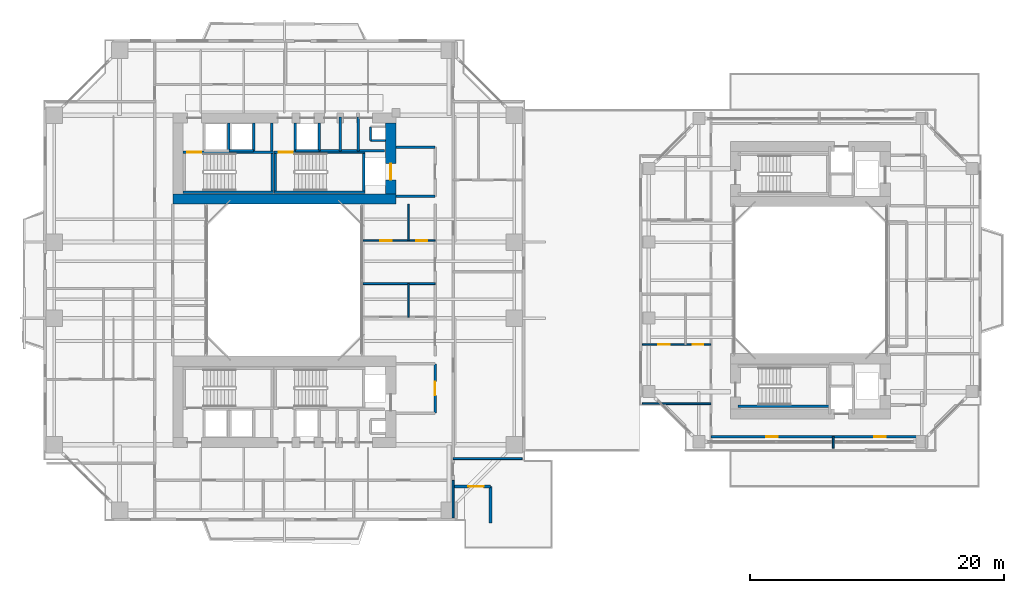
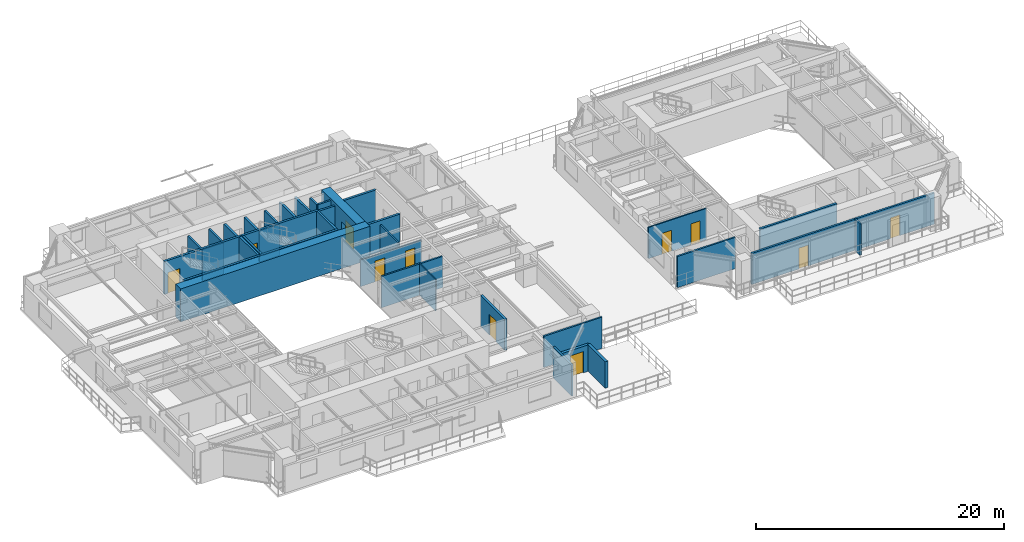
# One storey, part 12 of 22: 37 walls, 11 doors, 11 openings.
"""IFC4 building model written with IfcOpenShell, lengths in metres."""

from ifc_helpers import new_model, si_unit, direction, frame, frame_2d, origin, place, context, subcontext, project, spatial, rectangle, extrude, source, transform, mapped, material, layer, layer_set, type_object, element, fill, save


model = new_model("IFC4")

# Units and contexts
model_context = context("Model", 3, precision=1e-05, world=origin(), true_north=direction((0.0, 1.0)))
body_context = subcontext(model_context, "Body", "Model", "MODEL_VIEW")
ifc_project = project(units=[si_unit("LENGTHUNIT", "METRE"), si_unit("AREAUNIT", "SQUARE_METRE"), si_unit("VOLUMEUNIT", "CUBIC_METRE"), si_unit("PLANEANGLEUNIT", "RADIAN"), si_unit("MASSUNIT", "GRAM", prefix="KILO"), si_unit("THERMODYNAMICTEMPERATUREUNIT", "KELVIN"), si_unit("POWERUNIT", "WATT")], contexts=[model_context])

# Site, building, storey
site_placement = place(None, origin())
site = spatial("IfcSite", under=ifc_project, at=site_placement, CompositionType="ELEMENT")
building_placement = place(site_placement, origin())
building = spatial("IfcBuilding", under=site, at=building_placement, Name="Qiaomeng Ring Towers", CompositionType="ELEMENT")
storey_placement = place(building_placement, frame((0.0, 0.0, 23.0)))
storey = spatial("IfcBuildingStorey", under=building, at=storey_placement, Name="L05", CompositionType="ELEMENT", Elevation=23.0)

# Wall, opening, door
ifc_material_1 = material(Name="Precast concrete C40", Category="concrete")
ifc_layer_1 = layer(ifc_material_1, 0.25, Name="Precast concrete C40")
ifc_layer_set_1 = layer_set([ifc_layer_1], Name="Precast concrete C40")
wall_type_1 = type_object("IfcWallType", Name="ARC-WL-EW1", PredefinedType="STANDARD", material=ifc_layer_set_1)
wall_1_placement = place(storey_placement, frame((32.375, 6.72509765625, 0.0), z_axis=(0.0, 0.0, 1.0), x_axis=(1.0, 0.0, 0.0)))
wall_1 = element("IfcWall", 1, at=wall_1_placement, inside=storey, type_object=wall_type_1, Name="L05 Spiral Terrace Wall SE", PredefinedType="STANDARD", context=body_context, shape_type="SweptSolid", body=[
    extrude(rectangle(XDim=2.89990234375, YDim=0.25, at=frame_2d((1.449951171875, 0.0))), origin(), (0.0, 0.0, 1.0), 2.610107421875),
])
opening_1_placement = place(wall_1_placement, frame((1.14990234375, 0.0, 0.0)))
opening_1 = element("IfcOpeningElement", 2, at=opening_1_placement, cuts=wall_1, Name="Opening BD1", PredefinedType="OPENING", context=body_context, shape_type="SweptSolid", body=[
    extrude(rectangle(XDim=1.199951171875, YDim=2.10009765625, at=frame_2d((0.60009765625, 1.050048828125))), frame((0.0, 0.135009765625, 0.0), z_axis=(0.0, -1.0, 0.0), x_axis=(1.0, 0.0, 0.0)), (0.0, 0.0, 1.0), 0.27001953125),
])
ifc_material_2 = material(Name="Low-E dark-grey laminated double glazing", Category="glass")
door_type_1 = type_object("IfcDoorType", Name="ARC-DR-BD1", OperationType="NOTDEFINED", PredefinedType="DOOR", material=ifc_material_2)
shared_shape_1 = source(origin(), body_context, "Body", "SweptSolid", [
    extrude(rectangle(XDim=1.199951171875, YDim=2.10009765625, at=frame_2d((0.60009765625, 1.050048828125))), frame((0.0, 0.02490234375, 0.0), z_axis=(0.0, -1.0, 0.0), x_axis=(1.0, 0.0, 0.0)), (0.0, 0.0, 1.0), 0.050048828125),
])
door_1_placement = place(opening_1_placement, origin())
door_1 = element("IfcDoor", 3, at=door_1_placement, inside=storey, type_object=door_type_1, Name="L05 Spiral Sky Terrace Door SE", OperationType="SINGLE_SWING_LEFT", OverallHeight=2.10009765625, OverallWidth=1.199951171875, PredefinedType="DOOR", context=body_context, shape_type="MappedRepresentation", body=[
    mapped(shared_shape_1, transform((0.0, 0.0, 0.0), x_axis=(1.0, 0.0, 0.0), y_axis=(0.0, 1.0, 0.0), z_axis=(0.0, 0.0, 1.0), scale=1.0)),
])
fill(opening_1, door_1)

# Walls
wall_2_placement = place(storey_placement, frame((35.27490234375, 3.85009765625, 0.0), z_axis=(0.0, 0.0, 1.0), x_axis=(0.0, 1.0, 0.0)))
element("IfcWall", 4, at=wall_2_placement, inside=storey, type_object=wall_type_1, Name="L05 Spiral Terrace Return Wall SE", PredefinedType="STANDARD", context=body_context, shape_type="SweptSolid", body=[
    extrude(rectangle(XDim=2.875, YDim=0.25, at=frame_2d((1.4375, 0.0))), origin(), (0.0, 0.0, 1.0), 2.610107421875),
])
ifc_material_3 = material(Name="Autoclaved aerated concrete block", Category="concrete")
ifc_layer_2 = layer(ifc_material_3, 0.199951171875, Name="Autoclaved aerated concrete block")
ifc_layer_set_2 = layer_set([ifc_layer_2], Name="Autoclaved aerated concrete block")
wall_type_2 = type_object("IfcWallType", Name="ARC-WL-PW1", PredefinedType="PARTITIONING", material=ifc_layer_set_2)
for number, where, z_axis, x_axis, name in (
    (5, (27.800048828125, 29.60009765625, 0.0), (0.0, 0.0, 1.0), (1.0, 0.0, 0.0), "L05 Interior Wall PW1"),
    (6, (27.800048828125, 33.5, 0.0), (0.0, 0.0, 1.0), (1.0, 0.0, 0.0), "L05 Interior Wall PW1"),
):
    element("IfcWall", number, at=place(storey_placement, frame(where, z_axis=z_axis, x_axis=x_axis)), inside=storey, type_object=wall_type_2, Name=name, PredefinedType="PARTITIONING", context=body_context, shape_type="SweptSolid", body=[
        extrude(rectangle(XDim=3.099853515625, YDim=0.199951171875, at=frame_2d((1.5498046875, 0.0))), origin(), (0.0, 0.0, 1.0), 3.070068359375),
    ])

# Wall, opening, door
wall_3_placement = place(storey_placement, frame((30.89990234375, 12.5, 0.0), z_axis=(0.0, 0.0, 1.0), x_axis=(0.0, 1.0, 0.0)))
wall_3 = element("IfcWall", 7, at=wall_3_placement, inside=storey, type_object=wall_type_2, Name="L05 Interior Wall PW1", PredefinedType="PARTITIONING", context=body_context, shape_type="SweptSolid", body=[
    extrude(rectangle(XDim=3.89990234375, YDim=0.199951171875, at=frame_2d((1.949951171875, 0.0))), origin(), (0.0, 0.0, 1.0), 3.070068359375),
])
opening_2_placement = place(wall_3_placement, frame((1.39990234375, 0.0, 0.0)))
opening_2 = element("IfcOpeningElement", 8, at=opening_2_placement, cuts=wall_3, Name="Opening FD3", PredefinedType="OPENING", context=body_context, shape_type="SweptSolid", body=[
    extrude(rectangle(XDim=1.10009765625, YDim=2.050048828125, at=frame_2d((0.550048828125, 1.02490234375))), frame((0.0, 0.10986328125, 0.0), z_axis=(0.0, -1.0, 0.0), x_axis=(1.0, 0.0, 0.0)), (0.0, 0.0, 1.0), 0.219970703125),
])
ifc_material_4 = material(Name="Galvanised steel", Category="steel")
door_type_2 = type_object("IfcDoorType", Name="ARC-DR-FD3", OperationType="NOTDEFINED", PredefinedType="DOOR", material=ifc_material_4)
shared_shape_2 = source(origin(), body_context, "Body", "SweptSolid", [
    extrude(rectangle(XDim=1.10009765625, YDim=2.050048828125, at=frame_2d((0.550048828125, 1.02490234375))), frame((0.0, 0.02490234375, 0.0), z_axis=(0.0, -1.0, 0.0), x_axis=(1.0, 0.0, 0.0)), (0.0, 0.0, 1.0), 0.050048828125),
])
door_2_placement = place(opening_2_placement, origin())
door_2 = element("IfcDoor", 9, at=door_2_placement, inside=storey, type_object=door_type_2, Name="L05 South FF Lobby Door", OperationType="SINGLE_SWING_LEFT", OverallHeight=2.050048828125, OverallWidth=1.10009765625, PredefinedType="DOOR", context=body_context, shape_type="MappedRepresentation", body=[
    mapped(shared_shape_2, transform((0.0, 0.0, 0.0), x_axis=(1.0, 0.0, 0.0), y_axis=(0.0, 1.0, 0.0), z_axis=(0.0, 0.0, 1.0), scale=1.0)),
])
fill(opening_2, door_2)

# Walls
for number, where, z_axis, x_axis, name in (
    (10, (18.0, 33.18994140625, 0.0), (0.0, 0.0, 1.0), (0.0, 1.0, 0.0), "L05 Interior Wall PW1"),
    (11, (19.8798828125, 33.18994140625, 0.0), (0.0, 0.0, 1.0), (0.0, 1.0, 0.0), "L05 Interior Wall PW1"),
):
    element("IfcWall", number, at=place(storey_placement, frame(where, z_axis=z_axis, x_axis=x_axis)), inside=storey, type_object=wall_type_2, Name=name, PredefinedType="PARTITIONING", context=body_context, shape_type="SweptSolid", body=[
        extrude(rectangle(XDim=2.2099609375, YDim=0.199951171875, at=frame_2d((1.10498046875, 0.0))), origin(), (0.0, 0.0, 1.0), 3.070068359375),
    ])
wall_4_placement = place(storey_placement, frame((24.820068359375, 33.199951171875, 0.0), z_axis=(0.0, 0.0, 1.0), x_axis=(0.0, 1.0, 0.0)))
element("IfcWall", 12, at=wall_4_placement, inside=storey, type_object=wall_type_2, Name="L05 Interior Wall PW1", PredefinedType="PARTITIONING", context=body_context, shape_type="SweptSolid", body=[
    extrude(rectangle(XDim=2.650146484375, YDim=0.199951171875, at=frame_2d((1.3251953125, 0.0))), origin(), (0.0, 0.0, 1.0), 3.070068359375),
])
wall_5_placement = place(storey_placement, frame((21.75, 33.199951171875, 0.0), z_axis=(0.0, 0.0, 1.0), x_axis=(0.0, 1.0, 0.0)))
element("IfcWall", 13, at=wall_5_placement, inside=storey, type_object=wall_type_2, Name="L05 Interior Wall PW1", PredefinedType="PARTITIONING", context=body_context, shape_type="SweptSolid", body=[
    extrude(rectangle(XDim=2.199951171875, YDim=0.199951171875, at=frame_2d((1.10009765625, 0.0))), origin(), (0.0, 0.0, 1.0), 3.070068359375),
])
wall_6_placement = place(storey_placement, frame((23.39990234375, 33.199951171875, 0.0), z_axis=(0.0, 0.0, 1.0), x_axis=(0.0, 1.0, 0.0)))
element("IfcWall", 14, at=wall_6_placement, inside=storey, type_object=wall_type_2, Name="L05 Interior Wall PW1", PredefinedType="PARTITIONING", context=body_context, shape_type="SweptSolid", body=[
    extrude(rectangle(XDim=2.650146484375, YDim=0.199951171875, at=frame_2d((1.3251953125, 0.0))), origin(), (0.0, 0.0, 1.0), 3.070068359375),
])
wall_7_placement = place(storey_placement, frame((21.75, 33.199951171875, 0.0), z_axis=(0.0, 0.0, 1.0), x_axis=(1.0, 0.0, 0.0)))
element("IfcWall", 15, at=wall_7_placement, inside=storey, type_object=wall_type_2, Name="L05 Interior Wall PW1", PredefinedType="PARTITIONING", context=body_context, shape_type="SweptSolid", body=[
    extrude(rectangle(XDim=5.169921875, YDim=0.199951171875, at=frame_2d((2.5849609375, 0.0))), origin(), (0.0, 0.0, 1.0), 3.070068359375),
])

# Wall, openings, doors
ifc_layer_3 = layer(ifc_material_3, 0.179931640625, Name="Autoclaved aerated concrete block")
ifc_layer_set_3 = layer_set([ifc_layer_3], Name="Autoclaved aerated concrete block")
wall_type_3 = type_object("IfcWallType", Name="ARC-WL-PW2", PredefinedType="PARTITIONING", material=ifc_layer_set_3)
wall_8_placement = place(storey_placement, frame((52.64990234375, 10.64990234375, 0.0), z_axis=(0.0, 0.0, 1.0), x_axis=(1.0, 0.0, 0.0)))
wall_8 = element("IfcWall", 16, at=wall_8_placement, inside=storey, type_object=wall_type_3, Name="L05 Interior Wall PW2", PredefinedType="PARTITIONING", context=body_context, shape_type="SweptSolid", body=[
    extrude(rectangle(XDim=17.0, YDim=0.179931640625, at=frame_2d((8.5, 0.0))), origin(), (0.0, 0.0, 1.0), 3.070068359375),
])
opening_3_placement = place(wall_8_placement, frame((4.375, 0.0, 0.0)))
opening_3 = element("IfcOpeningElement", 17, at=opening_3_placement, cuts=wall_8, Name="Opening ID1", PredefinedType="OPENING", context=body_context, shape_type="SweptSolid", body=[
    extrude(rectangle(XDim=0.89990234375, YDim=2.050048828125, at=frame_2d((0.449951171875, 1.02490234375))), frame((0.0, 0.099853515625, 0.0), z_axis=(0.0, -1.0, 0.0), x_axis=(1.0, 0.0, 0.0)), (0.0, 0.0, 1.0), 0.199951171875),
])
opening_4_placement = place(wall_8_placement, frame((12.875, 0.0, 0.0)))
opening_4 = element("IfcOpeningElement", 18, at=opening_4_placement, cuts=wall_8, Name="Opening ID1", PredefinedType="OPENING", context=body_context, shape_type="SweptSolid", body=[
    extrude(rectangle(XDim=0.89990234375, YDim=2.050048828125, at=frame_2d((0.449951171875, 1.02490234375))), frame((0.0, 0.099853515625, 0.0), z_axis=(0.0, -1.0, 0.0), x_axis=(1.0, 0.0, 0.0)), (0.0, 0.0, 1.0), 0.199951171875),
])
ifc_material_5 = material(Name="Engineered oak timber", Category="wood")
door_type_3 = type_object("IfcDoorType", Name="ARC-DR-ID1", OperationType="NOTDEFINED", PredefinedType="DOOR", material=ifc_material_5)
shared_shape_3 = source(origin(), body_context, "Body", "SweptSolid", [
    extrude(rectangle(XDim=0.89990234375, YDim=2.050048828125, at=frame_2d((0.449951171875, 1.02490234375))), frame((0.0, 0.02490234375, 0.0), z_axis=(0.0, -1.0, 0.0), x_axis=(1.0, 0.0, 0.0)), (0.0, 0.0, 1.0), 0.050048828125),
])
door_3_placement = place(opening_3_placement, origin())
door_3 = element("IfcDoor", 19, at=door_3_placement, inside=storey, type_object=door_type_3, Name="L05 Door ID1", OperationType="SINGLE_SWING_RIGHT", OverallHeight=2.050048828125, OverallWidth=0.89990234375, PredefinedType="DOOR", context=body_context, shape_type="MappedRepresentation", body=[
    mapped(shared_shape_3, transform((0.0, 0.0, 0.0), x_axis=(1.0, 0.0, 0.0), y_axis=(0.0, 1.0, 0.0), z_axis=(0.0, 0.0, 1.0), scale=1.0)),
])
fill(opening_3, door_3)
door_4_placement = place(opening_4_placement, origin())
door_4 = element("IfcDoor", 20, at=door_4_placement, inside=storey, type_object=door_type_3, Name="L05 Door ID1", OperationType="SINGLE_SWING_LEFT", OverallHeight=2.050048828125, OverallWidth=0.89990234375, PredefinedType="DOOR", context=body_context, shape_type="MappedRepresentation", body=[
    mapped(shared_shape_3, transform((0.0, 0.0, 0.0), x_axis=(1.0, 0.0, 0.0), y_axis=(0.0, 1.0, 0.0), z_axis=(0.0, 0.0, 1.0), scale=1.0)),
])
fill(opening_4, door_4)

# Walls
ifc_material_6 = material(Name="Gypsum fireboard steel-stud partition", Category="steel")
ifc_layer_4 = layer(ifc_material_6, 0.14990234375, Name="Gypsum fireboard steel-stud partition")
ifc_layer_set_4 = layer_set([ifc_layer_4], Name="Gypsum fireboard steel-stud partition")
wall_type_4 = type_object("IfcWallType", Name="ARC-WL-PW3", PredefinedType="PARTITIONING", material=ifc_layer_set_4)
wall_9_placement = place(storey_placement, frame((32.320068359375, 4.25, 0.0), z_axis=(0.0, 0.0, 1.0), x_axis=(0.0, 1.0, 0.0)))
element("IfcWall", 21, at=wall_9_placement, inside=storey, type_object=wall_type_4, Name="L05 Interior Wall PW3", PredefinedType="PARTITIONING", context=body_context, shape_type="SweptSolid", body=[
    extrude(rectangle(XDim=2.9599609375, YDim=0.14990234375, at=frame_2d((1.47998046875, 0.0))), origin(), (0.0, 0.0, 1.0), 3.070068359375),
])
wall_10_placement = place(storey_placement, frame((32.320068359375, 8.919921875, 0.0), z_axis=(0.0, 0.0, 1.0), x_axis=(1.0, 0.0, 0.0)))
element("IfcWall", 22, at=wall_10_placement, inside=storey, type_object=wall_type_4, Name="L05 Interior Wall PW3", PredefinedType="PARTITIONING", context=body_context, shape_type="SweptSolid", body=[
    extrude(rectangle(XDim=5.429931640625, YDim=0.14990234375, at=frame_2d((2.71484375, 0.0))), origin(), (0.0, 0.0, 1.0), 3.070068359375),
])
wall_11_placement = place(storey_placement, frame((25.219970703125, 22.719970703125, 0.0), z_axis=(0.0, 0.0, 1.0), x_axis=(1.0, 0.0, 0.0)))
element("IfcWall", 23, at=wall_11_placement, inside=storey, type_object=wall_type_4, Name="L05 Interior Wall PW3", PredefinedType="PARTITIONING", context=body_context, shape_type="SweptSolid", body=[
    extrude(rectangle(XDim=5.679931640625, YDim=0.14990234375, at=frame_2d((2.83984375, 0.0))), origin(), (0.0, 0.0, 1.0), 3.070068359375),
])
wall_12_placement = place(storey_placement, frame((47.25, 13.25, 0.0), z_axis=(0.0, 0.0, 1.0), x_axis=(1.0, 0.0, 0.0)))
element("IfcWall", 24, at=wall_12_placement, inside=storey, type_object=wall_type_4, Name="L05 Interior Wall PW3", PredefinedType="PARTITIONING", context=body_context, shape_type="SweptSolid", body=[
    extrude(rectangle(XDim=5.39990234375, YDim=0.14990234375, at=frame_2d((2.699951171875, 0.0))), origin(), (0.0, 0.0, 1.0), 3.070068359375),
])
wall_13_placement = place(storey_placement, frame((62.300048828125, 9.75, 0.0), z_axis=(0.0, 0.0, 1.0), x_axis=(0.0, 1.0, 0.0)))
element("IfcWall", 25, at=wall_13_placement, inside=storey, type_object=wall_type_4, Name="L05 Interior Wall PW3", PredefinedType="PARTITIONING", context=body_context, shape_type="SweptSolid", body=[
    extrude(rectangle(XDim=0.89990234375, YDim=0.14990234375, at=frame_2d((0.449951171875, 0.0))), origin(), (0.0, 0.0, 1.0), 3.070068359375),
])
ifc_material_7 = material(Name="Moisture-resistant gypsum steel-stud partition", Category="steel")
ifc_layer_5 = layer(ifc_material_7, 0.1201171875, Name="Moisture-resistant gypsum steel-stud partition")
ifc_layer_set_5 = layer_set([ifc_layer_5], Name="Moisture-resistant gypsum steel-stud partition")
wall_type_5 = type_object("IfcWallType", Name="ARC-WL-PW4", PredefinedType="PLUMBINGWALL", material=ifc_layer_set_5)
wall_14_placement = place(storey_placement, frame((28.800048828125, 20.090087890625, 0.0), z_axis=(0.0, 0.0, 1.0), x_axis=(0.0, 1.0, 0.0)))
element("IfcWall", 26, at=wall_14_placement, inside=storey, type_object=wall_type_5, Name="L05 Interior Wall PW4", PredefinedType="PLUMBINGWALL", context=body_context, shape_type="SweptSolid", body=[
    extrude(rectangle(XDim=2.6298828125, YDim=0.1201171875, at=frame_2d((1.31494140625, 0.0))), origin(), (0.0, 0.0, 1.0), 3.070068359375),
])

# Wall, openings, doors
wall_15_placement = place(storey_placement, frame((25.219970703125, 26.110107421875, 0.0), z_axis=(0.0, 0.0, 1.0), x_axis=(1.0, 0.0, 0.0)))
wall_15 = element("IfcWall", 27, at=wall_15_placement, inside=storey, type_object=wall_type_5, Name="L05 Interior Wall PW4", PredefinedType="PLUMBINGWALL", context=body_context, shape_type="SweptSolid", body=[
    extrude(rectangle(XDim=5.679931640625, YDim=0.1201171875, at=frame_2d((2.83984375, 0.0))), origin(), (0.0, 0.0, 1.0), 2.625),
])
opening_5_placement = place(wall_15_placement, frame((1.35009765625, 0.0, 0.0)))
opening_5 = element("IfcOpeningElement", 28, at=opening_5_placement, cuts=wall_15, Name="Opening ID1", PredefinedType="OPENING", context=body_context, shape_type="SweptSolid", body=[
    extrude(rectangle(XDim=0.89990234375, YDim=2.050048828125, at=frame_2d((0.449951171875, 1.02490234375))), frame((0.0, 0.070068359375, 0.0), z_axis=(0.0, -1.0, 0.0), x_axis=(1.0, 0.0, 0.0)), (0.0, 0.0, 1.0), 0.14013671875),
])
opening_6_placement = place(wall_15_placement, frame((4.195068359375, 0.0, 0.0)))
opening_6 = element("IfcOpeningElement", 29, at=opening_6_placement, cuts=wall_15, Name="Opening ID2", PredefinedType="OPENING", context=body_context, shape_type="SweptSolid", body=[
    extrude(rectangle(XDim=0.85009765625, YDim=2.050048828125, at=frame_2d((0.425048828125, 1.02490234375))), frame((0.0, 0.070068359375, 0.0), z_axis=(0.0, -1.0, 0.0), x_axis=(1.0, 0.0, 0.0)), (0.0, 0.0, 1.0), 0.14013671875),
])
ifc_material_8 = material(Name="Moisture-resistant engineered timber", Category="wood")
door_type_4 = type_object("IfcDoorType", Name="ARC-DR-ID2", OperationType="NOTDEFINED", PredefinedType="DOOR", material=ifc_material_8)
shared_shape_4 = source(origin(), body_context, "Body", "SweptSolid", [
    extrude(rectangle(XDim=0.85009765625, YDim=2.050048828125, at=frame_2d((0.425048828125, 1.02490234375))), frame((0.0, 0.02490234375, 0.0), z_axis=(0.0, -1.0, 0.0), x_axis=(1.0, 0.0, 0.0)), (0.0, 0.0, 1.0), 0.050048828125),
])
door_5_placement = place(opening_6_placement, origin())
door_5 = element("IfcDoor", 30, at=door_5_placement, inside=storey, type_object=door_type_4, Name="L05 Door ID2", OperationType="SINGLE_SWING_LEFT", OverallHeight=2.050048828125, OverallWidth=0.85009765625, PredefinedType="DOOR", context=body_context, shape_type="MappedRepresentation", body=[
    mapped(shared_shape_4, transform((0.0, 0.0, 0.0), x_axis=(1.0, 0.0, 0.0), y_axis=(0.0, 1.0, 0.0), z_axis=(0.0, 0.0, 1.0), scale=1.0)),
])
fill(opening_6, door_5)
door_6_placement = place(opening_5_placement, origin())
door_6 = element("IfcDoor", 31, at=door_6_placement, inside=storey, type_object=door_type_3, Name="L05 Door ID1", OperationType="SINGLE_SWING_RIGHT", OverallHeight=2.050048828125, OverallWidth=0.89990234375, PredefinedType="DOOR", context=body_context, shape_type="MappedRepresentation", body=[
    mapped(shared_shape_3, transform((0.0, 0.0, 0.0), x_axis=(1.0, 0.0, 0.0), y_axis=(0.0, 1.0, 0.0), z_axis=(0.0, 0.0, 1.0), scale=1.0)),
])
fill(opening_5, door_6)

# Wall
wall_16_placement = place(storey_placement, frame((28.800048828125, 26.110107421875, 0.0), z_axis=(0.0, 0.0, 1.0), x_axis=(0.0, 1.0, 0.0)))
element("IfcWall", 32, at=wall_16_placement, inside=storey, type_object=wall_type_5, Name="L05 Interior Wall PW4", PredefinedType="PLUMBINGWALL", context=body_context, shape_type="SweptSolid", body=[
    extrude(rectangle(XDim=2.889892578125, YDim=0.1201171875, at=frame_2d((1.44482421875, 0.0))), origin(), (0.0, 0.0, 1.0), 3.070068359375),
])

# Wall, openings, doors
wall_17_placement = place(storey_placement, frame((47.25, 17.919921875, 0.0), z_axis=(0.0, 0.0, 1.0), x_axis=(1.0, 0.0, 0.0)))
wall_17 = element("IfcWall", 33, at=wall_17_placement, inside=storey, type_object=wall_type_5, Name="L05 Interior Wall PW4", PredefinedType="PLUMBINGWALL", context=body_context, shape_type="SweptSolid", body=[
    extrude(rectangle(XDim=5.39990234375, YDim=0.1201171875, at=frame_2d((2.699951171875, 0.0))), origin(), (0.0, 0.0, 1.0), 3.070068359375),
])
opening_7_placement = place(wall_17_placement, frame((1.260009765625, 0.0, 0.0)))
opening_7 = element("IfcOpeningElement", 34, at=opening_7_placement, cuts=wall_17, Name="Opening ID1", PredefinedType="OPENING", context=body_context, shape_type="SweptSolid", body=[
    extrude(rectangle(XDim=0.89990234375, YDim=2.050048828125, at=frame_2d((0.449951171875, 1.02490234375))), frame((0.0, 0.070068359375, 0.0), z_axis=(0.0, -1.0, 0.0), x_axis=(1.0, 0.0, 0.0)), (0.0, 0.0, 1.0), 0.14013671875),
])
opening_8_placement = place(wall_17_placement, frame((3.965087890625, 0.0, 0.0)))
opening_8 = element("IfcOpeningElement", 35, at=opening_8_placement, cuts=wall_17, Name="Opening ID2", PredefinedType="OPENING", context=body_context, shape_type="SweptSolid", body=[
    extrude(rectangle(XDim=0.85009765625, YDim=2.050048828125, at=frame_2d((0.425048828125, 1.02490234375))), frame((0.0, 0.070068359375, 0.0), z_axis=(0.0, -1.0, 0.0), x_axis=(1.0, 0.0, 0.0)), (0.0, 0.0, 1.0), 0.14013671875),
])
door_7_placement = place(opening_8_placement, origin())
door_7 = element("IfcDoor", 36, at=door_7_placement, inside=storey, type_object=door_type_4, Name="L05 Door ID2", OperationType="SINGLE_SWING_LEFT", OverallHeight=2.050048828125, OverallWidth=0.85009765625, PredefinedType="DOOR", context=body_context, shape_type="MappedRepresentation", body=[
    mapped(shared_shape_4, transform((0.0, 0.0, 0.0), x_axis=(1.0, 0.0, 0.0), y_axis=(0.0, 1.0, 0.0), z_axis=(0.0, 0.0, 1.0), scale=1.0)),
])
fill(opening_8, door_7)
door_8_placement = place(opening_7_placement, origin())
door_8 = element("IfcDoor", 37, at=door_8_placement, inside=storey, type_object=door_type_3, Name="L05 Door ID1", OperationType="SINGLE_SWING_RIGHT", OverallHeight=2.050048828125, OverallWidth=0.89990234375, PredefinedType="DOOR", context=body_context, shape_type="MappedRepresentation", body=[
    mapped(shared_shape_3, transform((0.0, 0.0, 0.0), x_axis=(1.0, 0.0, 0.0), y_axis=(0.0, 1.0, 0.0), z_axis=(0.0, 0.0, 1.0), scale=1.0)),
])
fill(opening_7, door_8)

# Walls
ifc_material_9 = material(Name="Concrete C40", Category="concrete")
ifc_layer_6 = layer(ifc_material_9, 0.199951171875, Name="Concrete C40")
ifc_layer_set_6 = layer_set([ifc_layer_6], Name="Concrete C40")
wall_type_6 = type_object("IfcWallType", Name="STR-WL-STSHAFT", PredefinedType="SHEAR", material=ifc_layer_set_6)
wall_18_placement = place(storey_placement, frame((14.6201171875, 33.199951171875, 0.0), z_axis=(0.0, 0.0, 1.0), x_axis=(0.0, 1.0, 0.0)))
element("IfcWall", 38, at=wall_18_placement, inside=storey, type_object=wall_type_6, Name="L05 Lift LP5-LP3 Shaft Divider Wall", PredefinedType="SHEAR", context=body_context, shape_type="SweptSolid", body=[
    extrude(rectangle(XDim=2.199951171875, YDim=0.179931640625, at=frame_2d((1.10009765625, 0.0))), origin(), (0.0, 0.0, 1.0), 3.070068359375),
])
wall_19_placement = place(storey_placement, frame((25.800048828125, 34.02001953125, 0.0), z_axis=(0.0, 0.0, 1.0), x_axis=(0.0, 1.0, 0.0)))
element("IfcWall", 39, at=wall_19_placement, inside=storey, type_object=wall_type_6, Name="L05 Riser RSR1 West Shaft Wall N", PredefinedType="SHEAR", context=body_context, shape_type="SweptSolid", body=[
    extrude(rectangle(XDim=1.06005859375, YDim=0.179931640625, at=frame_2d((0.530029296875, 0.0))), origin(), (0.0, 0.0, 1.0), 3.070068359375),
])
wall_20_placement = place(storey_placement, frame((25.800048828125, 34.02001953125, 0.0), z_axis=(0.0, 0.0, 1.0), x_axis=(1.0, 0.0, 0.0)))
element("IfcWall", 40, at=wall_20_placement, inside=storey, type_object=wall_type_6, Name="L05 Riser RSR1 South Shaft Wall N", PredefinedType="SHEAR", context=body_context, shape_type="SweptSolid", body=[
    extrude(rectangle(XDim=1.199951171875, YDim=0.179931640625, at=frame_2d((0.60009765625, 0.0))), origin(), (0.0, 0.0, 1.0), 3.070068359375),
])
wall_21_placement = place(storey_placement, frame((14.6201171875, 33.199951171875, 0.0), z_axis=(0.0, 0.0, 1.0), x_axis=(1.0, 0.0, 0.0)))
element("IfcWall", 41, at=wall_21_placement, inside=storey, type_object=wall_type_6, Name="L05 Lift LP3 Shaft Back Wall", PredefinedType="SHEAR", context=body_context, shape_type="SweptSolid", body=[
    extrude(rectangle(XDim=1.9599609375, YDim=0.179931640625, at=frame_2d((0.97998046875, 0.0))), origin(), (0.0, 0.0, 1.0), 3.070068359375),
])
wall_22_placement = place(storey_placement, frame((16.580078125, 33.199951171875, 0.0), z_axis=(0.0, 0.0, 1.0), x_axis=(0.0, 1.0, 0.0)))
element("IfcWall", 42, at=wall_22_placement, inside=storey, type_object=wall_type_6, Name="L05 Lift LP3 East Shaft Wall", PredefinedType="SHEAR", context=body_context, shape_type="SweptSolid", body=[
    extrude(rectangle(XDim=2.199951171875, YDim=0.179931640625, at=frame_2d((1.10009765625, 0.0))), origin(), (0.0, 0.0, 1.0), 3.070068359375),
])
wall_23_placement = place(storey_placement, frame((19.8798828125, 33.199951171875, 0.0), z_axis=(0.0, 0.0, 1.0), x_axis=(1.0, 0.0, 0.0)))
element("IfcWall", 43, at=wall_23_placement, inside=storey, type_object=wall_type_6, Name="L05 Lift LP1 Shaft Back Wall", PredefinedType="SHEAR", context=body_context, shape_type="SweptSolid", body=[
    extrude(rectangle(XDim=1.8701171875, YDim=0.179931640625, at=frame_2d((0.93505859375, 0.0))), origin(), (0.0, 0.0, 1.0), 3.070068359375),
])
wall_24_placement = place(storey_placement, frame((11.0, 29.949951171875, 0.0), z_axis=(0.0, 0.0, 1.0), x_axis=(1.0, 0.0, 0.0)))
element("IfcWall", 44, at=wall_24_placement, inside=storey, type_object=wall_type_6, Name="L05 Stair ST1 South Shaft Shear Wall", PredefinedType="SHEAR", context=body_context, shape_type="SweptSolid", body=[
    extrude(rectangle(XDim=7.14990234375, YDim=0.199951171875, at=frame_2d((3.574951171875, 0.0))), origin(), (0.0, 0.0, 1.0), 3.25),
])

# Wall, opening, door
wall_25_placement = place(storey_placement, frame((11.0, 33.090087890625, 0.0), z_axis=(0.0, 0.0, 1.0), x_axis=(1.0, 0.0, 0.0)))
wall_25 = element("IfcWall", 45, at=wall_25_placement, inside=storey, type_object=wall_type_6, Name="L05 Stair ST1 North Shaft Shear Wall", PredefinedType="SHEAR", context=body_context, shape_type="SweptSolid", body=[
    extrude(rectangle(XDim=7.14990234375, YDim=0.199951171875, at=frame_2d((3.574951171875, 0.0))), origin(), (0.0, 0.0, 1.0), 3.25),
])
opening_9_placement = place(wall_25_placement, frame((0.35009765625, 0.0, 0.0)))
opening_9 = element("IfcOpeningElement", 46, at=opening_9_placement, cuts=wall_25, Name="Opening FD3", PredefinedType="OPENING", context=body_context, shape_type="SweptSolid", body=[
    extrude(rectangle(XDim=1.10009765625, YDim=2.050048828125, at=frame_2d((0.550048828125, 1.02490234375))), frame((0.0, 0.10986328125, 0.0), z_axis=(0.0, -1.0, 0.0), x_axis=(1.0, 0.0, 0.0)), (0.0, 0.0, 1.0), 0.219970703125),
])
door_9_placement = place(opening_9_placement, origin())
door_9 = element("IfcDoor", 47, at=door_9_placement, inside=storey, type_object=door_type_2, Name="L05 Stair ST1 Exit Door", OperationType="SINGLE_SWING_LEFT", OverallHeight=2.050048828125, OverallWidth=1.10009765625, PredefinedType="DOOR", context=body_context, shape_type="MappedRepresentation", body=[
    mapped(shared_shape_2, transform((0.0, 0.0, 0.0), x_axis=(1.0, 0.0, 0.0), y_axis=(0.0, 1.0, 0.0), z_axis=(0.0, 0.0, 1.0), scale=1.0)),
])
fill(opening_9, door_9)

# Walls
wall_26_placement = place(storey_placement, frame((18.050048828125, 30.050048828125, 0.0), z_axis=(0.0, 0.0, 1.0), x_axis=(0.0, 1.0, 0.0)))
element("IfcWall", 48, at=wall_26_placement, inside=storey, type_object=wall_type_6, Name="L05 Stair ST1 East Shaft Shear Wall", PredefinedType="SHEAR", context=body_context, shape_type="SweptSolid", body=[
    extrude(rectangle(XDim=2.93994140625, YDim=0.199951171875, at=frame_2d((1.469970703125, 0.0))), origin(), (0.0, 0.0, 1.0), 3.25),
])
wall_27_placement = place(storey_placement, frame((18.199951171875, 29.949951171875, 0.0), z_axis=(0.0, 0.0, 1.0), x_axis=(1.0, 0.0, 0.0)))
element("IfcWall", 49, at=wall_27_placement, inside=storey, type_object=wall_type_6, Name="L05 Stair ST2 South Shaft Shear Wall", PredefinedType="SHEAR", context=body_context, shape_type="SweptSolid", body=[
    extrude(rectangle(XDim=7.150146484375, YDim=0.199951171875, at=frame_2d((3.5751953125, 0.0))), origin(), (0.0, 0.0, 1.0), 3.25),
])

# Wall, opening, door
wall_28_placement = place(storey_placement, frame((18.199951171875, 33.090087890625, 0.0), z_axis=(0.0, 0.0, 1.0), x_axis=(1.0, 0.0, 0.0)))
wall_28 = element("IfcWall", 50, at=wall_28_placement, inside=storey, type_object=wall_type_6, Name="L05 Stair ST2 North Shaft Shear Wall", PredefinedType="SHEAR", context=body_context, shape_type="SweptSolid", body=[
    extrude(rectangle(XDim=7.150146484375, YDim=0.199951171875, at=frame_2d((3.5751953125, 0.0))), origin(), (0.0, 0.0, 1.0), 3.25),
])
opening_10_placement = place(wall_28_placement, frame((0.35009765625, 0.0, 0.0)))
opening_10 = element("IfcOpeningElement", 51, at=opening_10_placement, cuts=wall_28, Name="Opening FD3", PredefinedType="OPENING", context=body_context, shape_type="SweptSolid", body=[
    extrude(rectangle(XDim=1.10009765625, YDim=2.050048828125, at=frame_2d((0.550048828125, 1.02490234375))), frame((0.0, 0.10986328125, 0.0), z_axis=(0.0, -1.0, 0.0), x_axis=(1.0, 0.0, 0.0)), (0.0, 0.0, 1.0), 0.219970703125),
])
door_10_placement = place(opening_10_placement, origin())
door_10 = element("IfcDoor", 52, at=door_10_placement, inside=storey, type_object=door_type_2, Name="L05 Stair ST2 Exit Door", OperationType="SINGLE_SWING_LEFT", OverallHeight=2.050048828125, OverallWidth=1.10009765625, PredefinedType="DOOR", context=body_context, shape_type="MappedRepresentation", body=[
    mapped(shared_shape_2, transform((0.0, 0.0, 0.0), x_axis=(1.0, 0.0, 0.0), y_axis=(0.0, 1.0, 0.0), z_axis=(0.0, 0.0, 1.0), scale=1.0)),
])
fill(opening_10, door_10)

# Walls
for number, where, z_axis, x_axis, name in (
    (53, (18.300048828125, 30.050048828125, 0.0), (0.0, 0.0, 1.0), (0.0, 1.0, 0.0), "L05 Stair ST2 West Shaft Shear Wall"),
    (54, (25.25, 30.050048828125, 0.0), (0.0, 0.0, 1.0), (0.0, 1.0, 0.0), "L05 Stair ST2 East Shaft Shear Wall"),
):
    element("IfcWall", number, at=place(storey_placement, frame(where, z_axis=z_axis, x_axis=x_axis)), inside=storey, type_object=wall_type_6, Name=name, PredefinedType="SHEAR", context=body_context, shape_type="SweptSolid", body=[
        extrude(rectangle(XDim=2.93994140625, YDim=0.199951171875, at=frame_2d((1.469970703125, 0.0))), origin(), (0.0, 0.0, 1.0), 3.25),
    ])
wall_29_placement = place(storey_placement, frame((54.800048828125, 13.06005859375, 0.0), z_axis=(0.0, 0.0, 1.0), x_axis=(1.0, 0.0, 0.0)))
element("IfcWall", 55, at=wall_29_placement, inside=storey, type_object=wall_type_6, Name="L05 Stair ST6 South Shaft Shear Wall", PredefinedType="SHEAR", context=body_context, shape_type="SweptSolid", body=[
    extrude(rectangle(XDim=7.14990234375, YDim=0.199951171875, at=frame_2d((3.574951171875, 0.0))), origin(), (0.0, 0.0, 1.0), 3.25),
])
ifc_material_10 = material(Name="Concrete C60", Category="concrete")
ifc_layer_7 = layer(ifc_material_10, 0.800048828125, Name="Concrete C60")
ifc_layer_set_7 = layer_set([ifc_layer_7], Name="Concrete C60")
wall_type_7 = type_object("IfcWallType", Name="STR-WL-SW1", PredefinedType="SHEAR", material=ifc_layer_set_7)
wall_30_placement = place(storey_placement, frame((10.199951171875, 29.39990234375, 0.0), z_axis=(0.0, 0.0, 1.0), x_axis=(1.0, 0.0, 0.0)))
element("IfcWall", 56, at=wall_30_placement, inside=storey, type_object=wall_type_7, Name="L05 T1NC south core shear wall", PredefinedType="SHEAR", context=body_context, shape_type="SweptSolid", body=[
    extrude(rectangle(XDim=17.60009765625, YDim=0.800048828125, at=frame_2d((8.800048828125, 0.0))), origin(), (0.0, 0.0, 1.0), 3.25),
])

# Wall, opening, door
wall_31_placement = place(storey_placement, frame((27.39990234375, 29.800048828125, 0.0), z_axis=(0.0, 0.0, 1.0), x_axis=(0.0, 1.0, 0.0)))
wall_31 = element("IfcWall", 57, at=wall_31_placement, inside=storey, type_object=wall_type_7, Name="L05 T1NC east core shear wall", PredefinedType="SHEAR", context=body_context, shape_type="SweptSolid", body=[
    extrude(rectangle(XDim=5.599853515625, YDim=0.800048828125, at=frame_2d((2.7998046875, 0.0))), origin(), (0.0, 0.0, 1.0), 3.25),
])
opening_11_placement = place(wall_31_placement, frame((1.10009765625, 0.0, 0.0)))
opening_11 = element("IfcOpeningElement", 58, at=opening_11_placement, cuts=wall_31, Name="Opening LD2", PredefinedType="OPENING", context=body_context, shape_type="SweptSolid", body=[
    extrude(rectangle(XDim=1.300048828125, YDim=2.050048828125, at=frame_2d((0.64990234375, 1.02490234375))), frame((0.0, 0.409912109375, 0.0), z_axis=(0.0, -1.0, 0.0), x_axis=(1.0, 0.0, 0.0)), (0.0, 0.0, 1.0), 0.820068359375),
])
ifc_material_11 = material(Name="Stainless steel 316", Category="steel")
door_type_5 = type_object("IfcDoorType", Name="ARC-DR-LD2", OperationType="NOTDEFINED", PredefinedType="DOOR", material=ifc_material_11)
shared_shape_5 = source(origin(), body_context, "Body", "SweptSolid", [
    extrude(rectangle(XDim=1.300048828125, YDim=2.050048828125, at=frame_2d((0.64990234375, 1.02490234375))), frame((0.0, 0.02490234375, 0.0), z_axis=(0.0, -1.0, 0.0), x_axis=(1.0, 0.0, 0.0)), (0.0, 0.0, 1.0), 0.050048828125),
])
door_11_placement = place(opening_11_placement, origin())
door_11 = element("IfcDoor", 59, at=door_11_placement, inside=storey, type_object=door_type_5, Name="L05 Firefighting Lift FL1 Landing Door", OperationType="SLIDING_TO_LEFT", OverallHeight=2.050048828125, OverallWidth=1.300048828125, PredefinedType="DOOR", context=body_context, shape_type="MappedRepresentation", body=[
    mapped(shared_shape_5, transform((0.0, 0.0, 0.0), x_axis=(1.0, 0.0, 0.0), y_axis=(0.0, 1.0, 0.0), z_axis=(0.0, 0.0, 1.0), scale=1.0)),
])
fill(opening_11, door_11)

save(model, "model.ifc")
